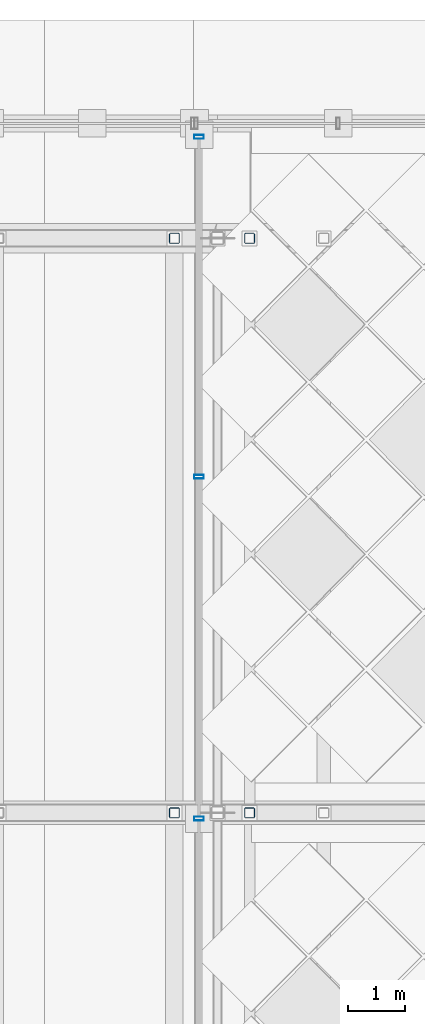
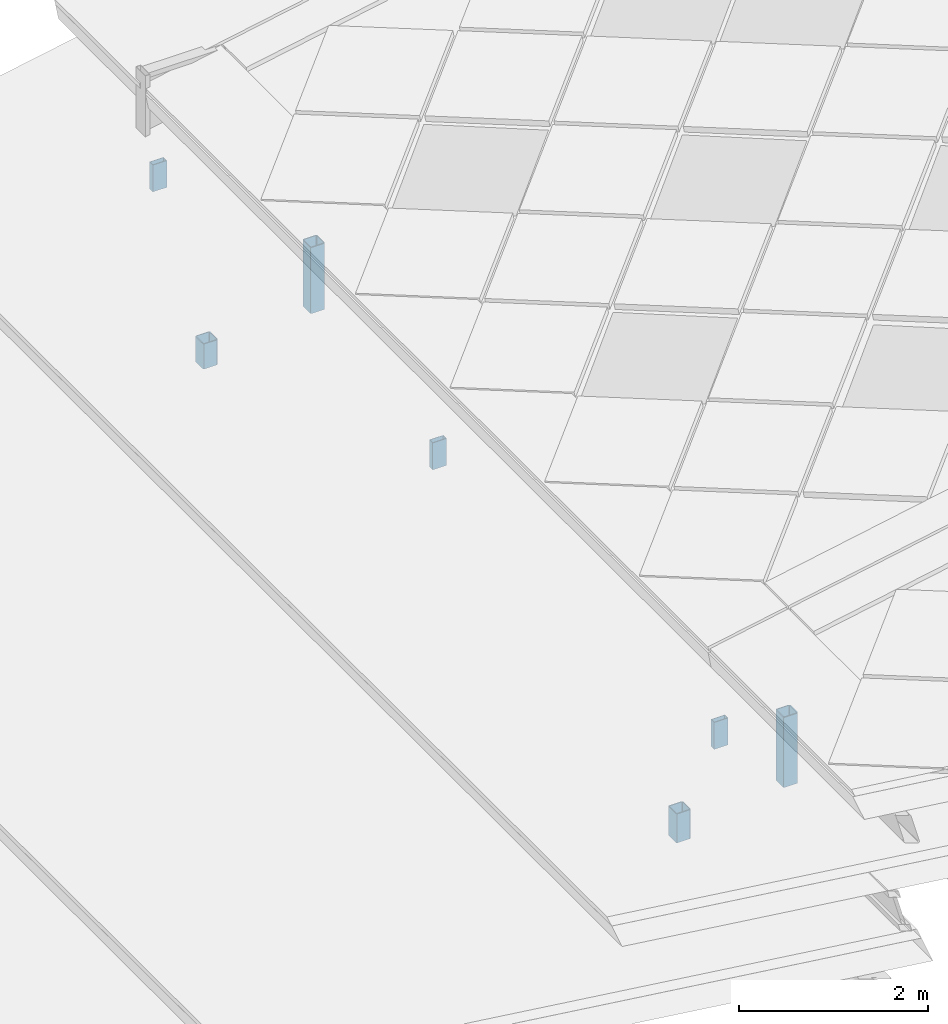
# One storey, part 74 of 117: 7 members, 1 element without a shape of its own.
"""IFC4 building model written with IfcOpenShell, lengths in metres."""

from ifc_helpers import new_model, si_unit, direction, frame, origin, origin_2d, place, context, subcontext, project, spatial, hollow_rectangle, extrude, material, material_profile, profile_set, type_object, element, aggregate, save


model = new_model("IFC4")

# Units and contexts
model_context = context("Model", 3, precision=1e-05, world=origin(), true_north=direction((0.0, 1.0)))
body_context = subcontext(model_context, "Body", "Model", "MODEL_VIEW")
ifc_project = project(units=[si_unit("LENGTHUNIT", "METRE"), si_unit("AREAUNIT", "SQUARE_METRE"), si_unit("VOLUMEUNIT", "CUBIC_METRE"), si_unit("PLANEANGLEUNIT", "RADIAN"), si_unit("MASSUNIT", "GRAM", prefix="KILO")], contexts=[model_context])

# Site, building, storey
site_placement = place(None, origin())
site = spatial("IfcSite", under=ifc_project, at=site_placement, CompositionType="ELEMENT")
building_placement = place(site_placement, origin())
building = spatial("IfcBuilding", under=site, at=building_placement, Name="Merenkruunu Market Hall", CompositionType="ELEMENT")
storey_placement = place(building_placement, frame((0.0, 0.0, 22.800048828125)))
storey = spatial("IfcBuildingStorey", under=building, at=storey_placement, Name="RF", CompositionType="ELEMENT", Elevation=22.800048828125)

# Curtain wall, members
ifc_material_1 = material(Name="Powder-coated aluminium", Category="aluminium")
curtain_wall_type = type_object("IfcCurtainWallType", Name="Clerestory Curtain Band CL05", PredefinedType="USERDEFINED", material=ifc_material_1)
curtain_wall_placement = place(storey_placement, origin())
curtain_wall = element("IfcCurtainWall", 1, at=curtain_wall_placement, inside=storey, type_object=curtain_wall_type, Name="CW-RF-CWM04-119", ObjectType="CLERESTORY_BAND", PredefinedType="USERDEFINED")
ifc_material_profile_1 = material_profile(ifc_material_1, hollow_rectangle(XDim=0.070068359375, YDim=0.169921875, WallThickness=0.0048828125, at=origin_2d()), Name="ALU 70x170x5")
ifc_profile_set_1 = profile_set([ifc_material_profile_1], Name="Powder-coated aluminium")
member_type_1 = type_object("IfcMemberType", Name="Curtain Wall Mullion CWM04", PredefinedType="MULLION", material=ifc_profile_set_1)
member_1_placement = place(storey_placement, frame((18.8798828125, 99.5, -1.241943359375), z_axis=(0.0, 0.0, 1.0), x_axis=(0.0, 1.0, 0.0)))
member_1 = element("IfcMember", 2, at=member_1_placement, type_object=member_type_1, Name="CL05 mullion 3", PredefinedType="MULLION", context=body_context, shape_type="SweptSolid", body=[
    extrude(hollow_rectangle(XDim=0.070068359375, YDim=0.169921875, WallThickness=0.0048828125, at=origin_2d()), origin(), (0.0, 0.0, 1.0), 0.347900390625),
])
member_2_placement = place(storey_placement, frame((18.8798828125, 105.449951171875, -1.241943359375), z_axis=(0.0, 0.0, 1.0), x_axis=(0.0, 1.0, 0.0)))
member_2 = element("IfcMember", 3, at=member_2_placement, type_object=member_type_1, Name="CL05 mullion 4", PredefinedType="MULLION", context=body_context, shape_type="SweptSolid", body=[
    extrude(hollow_rectangle(XDim=0.070068359375, YDim=0.169921875, WallThickness=0.0048828125, at=origin_2d()), origin(), (0.0, 0.0, 1.0), 0.347900390625),
])
member_3_placement = place(storey_placement, frame((18.8798828125, 111.364990234375, -1.241943359375), z_axis=(0.0, 0.0, 1.0), x_axis=(0.0, 1.0, 0.0)))
member_3 = element("IfcMember", 4, at=member_3_placement, type_object=member_type_1, Name="CL05 mullion 5", PredefinedType="MULLION", context=body_context, shape_type="SweptSolid", body=[
    extrude(hollow_rectangle(XDim=0.070068359375, YDim=0.169921875, WallThickness=0.0048828125, at=origin_2d()), origin(), (0.0, 0.0, 1.0), 0.347900390625),
])
aggregate(curtain_wall, [member_1, member_2, member_3])

# Members
ifc_material_2 = material(Name="Steel S355J2", Category="steel")
ifc_material_profile_2 = material_profile(ifc_material_2, hollow_rectangle(XDim=0.179931640625, YDim=0.179931640625, WallThickness=0.010009765625, InnerFilletRadius=0.010009765625, OuterFilletRadius=0.02001953125, at=origin_2d()), Name="SHS 180x180x10")
ifc_profile_set_2 = profile_set([ifc_material_profile_2], Name="Steel S355J2")
member_type_2 = type_object("IfcMemberType", Name="Diagonal Sway Brace BR05", PredefinedType="BRACE", material=ifc_profile_set_2)
member_4_placement = place(storey_placement, frame((18.449951171875, 99.60009765625, -2.326904296875), z_axis=(0.0, 0.0, 1.0), x_axis=(1.0, 0.0, 0.0)))
element("IfcMember", 5, at=member_4_placement, inside=storey, type_object=member_type_2, Name="TRUSS-AT-8-RISER-W5-2", PredefinedType="BRACE", context=body_context, shape_type="SweptSolid", body=[
    extrude(hollow_rectangle(XDim=0.179931640625, YDim=0.179931640625, WallThickness=0.010009765625, InnerFilletRadius=0.010009765625, OuterFilletRadius=0.02001953125, at=origin_2d()), origin(), (0.0, 0.0, 1.0), 0.37451171875),
])
member_5_placement = place(storey_placement, frame((19.760009765625, 99.60009765625, -2.07080078125), z_axis=(0.0, 0.0, 1.0), x_axis=(1.0, 0.0, 0.0)))
element("IfcMember", 6, at=member_5_placement, inside=storey, type_object=member_type_2, Name="TRUSS-AT-8-RISER-W6-1", PredefinedType="BRACE", context=body_context, shape_type="SweptSolid", body=[
    extrude(hollow_rectangle(XDim=0.179931640625, YDim=0.179931640625, WallThickness=0.010009765625, InnerFilletRadius=0.010009765625, OuterFilletRadius=0.02001953125, at=origin_2d()), origin(), (0.0, 0.0, 1.0), 0.90576171875),
])
member_6_placement = place(storey_placement, frame((18.449951171875, 109.60009765625, -2.276123046875), z_axis=(0.0, 0.0, 1.0), x_axis=(1.0, 0.0, 0.0)))
element("IfcMember", 7, at=member_6_placement, inside=storey, type_object=member_type_2, Name="TRUSS-AT-G-RISER-W5-2", PredefinedType="BRACE", context=body_context, shape_type="SweptSolid", body=[
    extrude(hollow_rectangle(XDim=0.179931640625, YDim=0.179931640625, WallThickness=0.010009765625, InnerFilletRadius=0.010009765625, OuterFilletRadius=0.02001953125, at=origin_2d()), origin(), (0.0, 0.0, 1.0), 0.32373046875),
])
member_7_placement = place(storey_placement, frame((19.760009765625, 109.60009765625, -2.02001953125), z_axis=(0.0, 0.0, 1.0), x_axis=(1.0, 0.0, 0.0)))
element("IfcMember", 8, at=member_7_placement, inside=storey, type_object=member_type_2, Name="TRUSS-AT-G-RISER-W6-1", PredefinedType="BRACE", context=body_context, shape_type="SweptSolid", body=[
    extrude(hollow_rectangle(XDim=0.179931640625, YDim=0.179931640625, WallThickness=0.010009765625, InnerFilletRadius=0.010009765625, OuterFilletRadius=0.02001953125, at=origin_2d()), origin(), (0.0, 0.0, 1.0), 0.85498046875),
])

save(model, "model.ifc")
